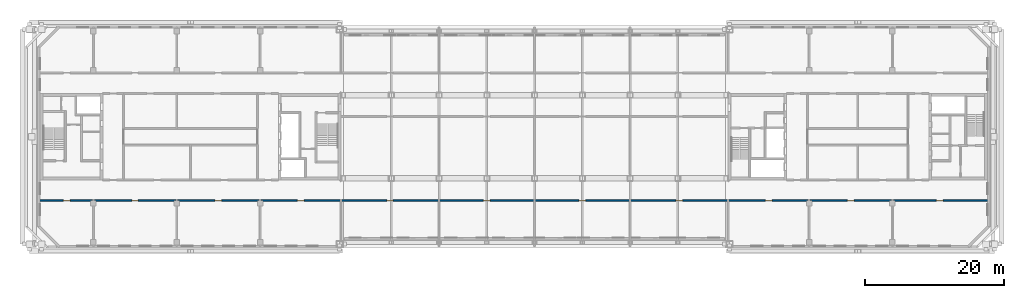
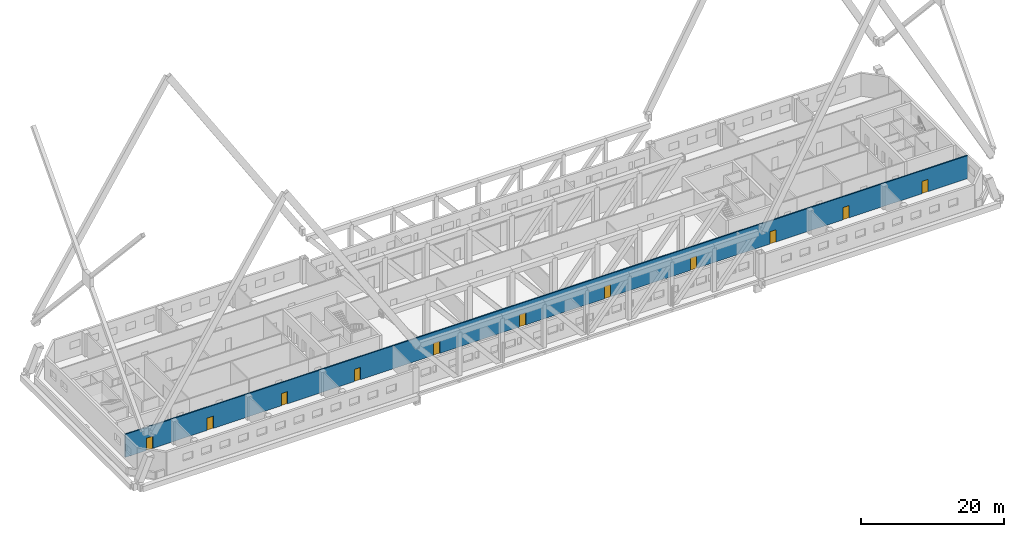
# One storey, part 7 of 17: 11 doors, 1 wall, 11 openings.
"""IFC4 building model written with IfcOpenShell, lengths in metres."""

from ifc_helpers import new_model, si_unit, direction, frame, frame_2d, origin, place, context, subcontext, project, spatial, rectangle, extrude, material, layer, layer_set, type_object, element, fill, save


model = new_model("IFC4")

# Units and contexts
model_context = context("Model", 3, precision=1e-05, world=origin(), true_north=direction((0.0, 1.0)))
body_context = subcontext(model_context, "Body", "Model", "MODEL_VIEW")
ifc_project = project(units=[si_unit("LENGTHUNIT", "METRE"), si_unit("AREAUNIT", "SQUARE_METRE"), si_unit("VOLUMEUNIT", "CUBIC_METRE"), si_unit("PLANEANGLEUNIT", "RADIAN"), si_unit("MASSUNIT", "GRAM", prefix="KILO")], contexts=[model_context])

# Site, building, storey
site_placement = place(None, origin())
site = spatial("IfcSite", under=ifc_project, at=site_placement, CompositionType="ELEMENT")
building_placement = place(site_placement, origin())
building = spatial("IfcBuilding", under=site, at=building_placement, Name="Tuart Gate Housing", CompositionType="ELEMENT")
storey_placement = place(building_placement, frame((0.0, 0.0, 194.39990234375)))
storey = spatial("IfcBuildingStorey", under=building, at=storey_placement, Name="L55", CompositionType="ELEMENT", Elevation=194.39990234375)

# Wall, openings, doors
ifc_material_1 = material(Name="Concrete masonry 15 MPa", Category="masonry")
ifc_layer = layer(ifc_material_1, 0.199951171875)
ifc_layer_set = layer_set([ifc_layer], Name="Enclosure wall masonry 200")
wall_type = type_object("IfcWallType", Name="Enclosure wall masonry 200", PredefinedType="PARTITIONING", material=ifc_layer_set)
wall_placement = place(storey_placement, frame((32.239990234375, 60.800048828125, 0.0), z_axis=(0.0, 0.0, 1.0), x_axis=(1.0, 0.0, 0.0)))
wall = element("IfcWall", 1, at=wall_placement, inside=storey, type_object=wall_type, Name="Enclosure wall masonry 200", PredefinedType="PARTITIONING", context=body_context, shape_type="SweptSolid", body=[
    extrude(rectangle(XDim=136.52001953125, YDim=0.199951171875, at=frame_2d((68.260009765625, 0.0))), origin(), (0.0, 0.0, 1.0), 3.9501953125),
])
opening_1_placement = place(wall_placement, frame((3.43994140625, 0.0, 0.0)))
opening_1 = element("IfcOpeningElement", 2, at=opening_1_placement, cuts=wall, Name="Opening D3528", PredefinedType="OPENING", context=body_context, shape_type="SweptSolid", body=[
    extrude(rectangle(XDim=1.0, YDim=2.10009765625, at=frame_2d((0.5, 1.050048828125))), frame((0.0, 0.10986328125, 0.0), z_axis=(0.0, -1.0, 0.0), x_axis=(1.0, 0.0, 0.0)), (0.0, 0.0, 1.0), 0.219970703125),
])
opening_2_placement = place(wall_placement, frame((13.260009765625, 0.0, 0.0)))
opening_2 = element("IfcOpeningElement", 3, at=opening_2_placement, cuts=wall, Name="Opening D3529", PredefinedType="OPENING", context=body_context, shape_type="SweptSolid", body=[
    extrude(rectangle(XDim=1.0, YDim=2.10009765625, at=frame_2d((0.5, 1.050048828125))), frame((0.0, 0.10986328125, 0.0), z_axis=(0.0, -1.0, 0.0), x_axis=(1.0, 0.0, 0.0)), (0.0, 0.0, 1.0), 0.219970703125),
])
opening_3_placement = place(wall_placement, frame((25.260009765625, 0.0, 0.0)))
opening_3 = element("IfcOpeningElement", 4, at=opening_3_placement, cuts=wall, Name="Opening D3530", PredefinedType="OPENING", context=body_context, shape_type="SweptSolid", body=[
    extrude(rectangle(XDim=1.0, YDim=2.10009765625, at=frame_2d((0.5, 1.050048828125))), frame((0.0, 0.10986328125, 0.0), z_axis=(0.0, -1.0, 0.0), x_axis=(1.0, 0.0, 0.0)), (0.0, 0.0, 1.0), 0.219970703125),
])
opening_4_placement = place(wall_placement, frame((37.080078125, 0.0, 0.0)))
opening_4 = element("IfcOpeningElement", 5, at=opening_4_placement, cuts=wall, Name="Opening D3531", PredefinedType="OPENING", context=body_context, shape_type="SweptSolid", body=[
    extrude(rectangle(XDim=1.0, YDim=2.10009765625, at=frame_2d((0.5, 1.050048828125))), frame((0.0, 0.10986328125, 0.0), z_axis=(0.0, -1.0, 0.0), x_axis=(1.0, 0.0, 0.0)), (0.0, 0.0, 1.0), 0.219970703125),
])
opening_5_placement = place(wall_placement, frame((49.955078125, 0.0, 0.0)))
opening_5 = element("IfcOpeningElement", 6, at=opening_5_placement, cuts=wall, Name="Opening D3532", PredefinedType="OPENING", context=body_context, shape_type="SweptSolid", body=[
    extrude(rectangle(XDim=1.0, YDim=2.10009765625, at=frame_2d((0.5, 1.050048828125))), frame((0.0, 0.10986328125, 0.0), z_axis=(0.0, -1.0, 0.0), x_axis=(1.0, 0.0, 0.0)), (0.0, 0.0, 1.0), 0.219970703125),
])
opening_6_placement = place(wall_placement, frame((63.885009765625, 0.0, 0.0)))
opening_6 = element("IfcOpeningElement", 7, at=opening_6_placement, cuts=wall, Name="Opening D3533", PredefinedType="OPENING", context=body_context, shape_type="SweptSolid", body=[
    extrude(rectangle(XDim=1.0, YDim=2.10009765625, at=frame_2d((0.5, 1.050048828125))), frame((0.0, 0.10986328125, 0.0), z_axis=(0.0, -1.0, 0.0), x_axis=(1.0, 0.0, 0.0)), (0.0, 0.0, 1.0), 0.219970703125),
])
opening_7_placement = place(wall_placement, frame((77.635009765625, 0.0, 0.0)))
opening_7 = element("IfcOpeningElement", 8, at=opening_7_placement, cuts=wall, Name="Opening D3534", PredefinedType="OPENING", context=body_context, shape_type="SweptSolid", body=[
    extrude(rectangle(XDim=1.0, YDim=2.10009765625, at=frame_2d((0.5, 1.050048828125))), frame((0.0, 0.10986328125, 0.0), z_axis=(0.0, -1.0, 0.0), x_axis=(1.0, 0.0, 0.0)), (0.0, 0.0, 1.0), 0.219970703125),
])
opening_8_placement = place(wall_placement, frame((91.56494140625, 0.0, 0.0)))
opening_8 = element("IfcOpeningElement", 9, at=opening_8_placement, cuts=wall, Name="Opening D3535", PredefinedType="OPENING", context=body_context, shape_type="SweptSolid", body=[
    extrude(rectangle(XDim=1.0, YDim=2.10009765625, at=frame_2d((0.5, 1.050048828125))), frame((0.0, 0.10986328125, 0.0), z_axis=(0.0, -1.0, 0.0), x_axis=(1.0, 0.0, 0.0)), (0.0, 0.0, 1.0), 0.219970703125),
])
opening_9_placement = place(wall_placement, frame((104.43994140625, 0.0, 0.0)))
opening_9 = element("IfcOpeningElement", 10, at=opening_9_placement, cuts=wall, Name="Opening D3536", PredefinedType="OPENING", context=body_context, shape_type="SweptSolid", body=[
    extrude(rectangle(XDim=1.0, YDim=2.10009765625, at=frame_2d((0.5, 1.050048828125))), frame((0.0, 0.10986328125, 0.0), z_axis=(0.0, -1.0, 0.0), x_axis=(1.0, 0.0, 0.0)), (0.0, 0.0, 1.0), 0.219970703125),
])
opening_10_placement = place(wall_placement, frame((116.260009765625, 0.0, 0.0)))
opening_10 = element("IfcOpeningElement", 11, at=opening_10_placement, cuts=wall, Name="Opening D3537", PredefinedType="OPENING", context=body_context, shape_type="SweptSolid", body=[
    extrude(rectangle(XDim=1.0, YDim=2.10009765625, at=frame_2d((0.5, 1.050048828125))), frame((0.0, 0.10986328125, 0.0), z_axis=(0.0, -1.0, 0.0), x_axis=(1.0, 0.0, 0.0)), (0.0, 0.0, 1.0), 0.219970703125),
])
opening_11_placement = place(wall_placement, frame((129.080078125, 0.0, 0.0)))
opening_11 = element("IfcOpeningElement", 12, at=opening_11_placement, cuts=wall, Name="Opening D3538", PredefinedType="OPENING", context=body_context, shape_type="SweptSolid", body=[
    extrude(rectangle(XDim=1.0, YDim=2.10009765625, at=frame_2d((0.5, 1.050048828125))), frame((0.0, 0.10986328125, 0.0), z_axis=(0.0, -1.0, 0.0), x_axis=(1.0, 0.0, 0.0)), (0.0, 0.0, 1.0), 0.219970703125),
])
ifc_material_2 = material(Name="Timber door leaf in steel frame", Category="steel")
door_type = type_object("IfcDoorType", Name="Fire door 1000 RH", OperationType="SINGLE_SWING_RIGHT", PredefinedType="DOOR", material=ifc_material_2)
door_1_placement = place(opening_1_placement, frame((1.0, 0.0, 0.0), z_axis=(0.0, 0.0, 1.0), x_axis=(-1.0, 0.0, 0.0)))
door_1 = element("IfcDoor", 13, at=door_1_placement, inside=storey, type_object=door_type, Name="Fire door 1000", OperationType="SINGLE_SWING_RIGHT", OverallHeight=2.10009765625, OverallWidth=1.0, PredefinedType="DOOR", context=body_context, shape_type="SweptSolid", body=[
    extrude(rectangle(XDim=1.0, YDim=2.10009765625, at=frame_2d((0.5, 1.050048828125))), frame((0.0, 0.025146484375, 0.0), z_axis=(0.0, -1.0, 0.0), x_axis=(1.0, 0.0, 0.0)), (0.0, 0.0, 1.0), 0.050048828125),
])
fill(opening_1, door_1)
door_2_placement = place(opening_2_placement, frame((1.0, 0.0, 0.0), z_axis=(0.0, 0.0, 1.0), x_axis=(-1.0, 0.0, 0.0)))
door_2 = element("IfcDoor", 14, at=door_2_placement, inside=storey, type_object=door_type, Name="Fire door 1000", OperationType="SINGLE_SWING_RIGHT", OverallHeight=2.10009765625, OverallWidth=1.0, PredefinedType="DOOR", context=body_context, shape_type="SweptSolid", body=[
    extrude(rectangle(XDim=1.0, YDim=2.10009765625, at=frame_2d((0.5, 1.050048828125))), frame((0.0, 0.025146484375, 0.0), z_axis=(0.0, -1.0, 0.0), x_axis=(1.0, 0.0, 0.0)), (0.0, 0.0, 1.0), 0.050048828125),
])
fill(opening_2, door_2)
door_3_placement = place(opening_3_placement, frame((1.0, 0.0, 0.0), z_axis=(0.0, 0.0, 1.0), x_axis=(-1.0, 0.0, 0.0)))
door_3 = element("IfcDoor", 15, at=door_3_placement, inside=storey, type_object=door_type, Name="Fire door 1000", OperationType="SINGLE_SWING_RIGHT", OverallHeight=2.10009765625, OverallWidth=1.0, PredefinedType="DOOR", context=body_context, shape_type="SweptSolid", body=[
    extrude(rectangle(XDim=1.0, YDim=2.10009765625, at=frame_2d((0.5, 1.050048828125))), frame((0.0, 0.025146484375, 0.0), z_axis=(0.0, -1.0, 0.0), x_axis=(1.0, 0.0, 0.0)), (0.0, 0.0, 1.0), 0.050048828125),
])
fill(opening_3, door_3)
door_4_placement = place(opening_4_placement, frame((1.0, 0.0, 0.0), z_axis=(0.0, 0.0, 1.0), x_axis=(-1.0, 0.0, 0.0)))
door_4 = element("IfcDoor", 16, at=door_4_placement, inside=storey, type_object=door_type, Name="Fire door 1000", OperationType="SINGLE_SWING_RIGHT", OverallHeight=2.10009765625, OverallWidth=1.0, PredefinedType="DOOR", context=body_context, shape_type="SweptSolid", body=[
    extrude(rectangle(XDim=1.0, YDim=2.10009765625, at=frame_2d((0.5, 1.050048828125))), frame((0.0, 0.025146484375, 0.0), z_axis=(0.0, -1.0, 0.0), x_axis=(1.0, 0.0, 0.0)), (0.0, 0.0, 1.0), 0.050048828125),
])
fill(opening_4, door_4)
door_5_placement = place(opening_5_placement, frame((1.0, 0.0, 0.0), z_axis=(0.0, 0.0, 1.0), x_axis=(-1.0, 0.0, 0.0)))
door_5 = element("IfcDoor", 17, at=door_5_placement, inside=storey, type_object=door_type, Name="Fire door 1000", OperationType="SINGLE_SWING_RIGHT", OverallHeight=2.10009765625, OverallWidth=1.0, PredefinedType="DOOR", context=body_context, shape_type="SweptSolid", body=[
    extrude(rectangle(XDim=1.0, YDim=2.10009765625, at=frame_2d((0.5, 1.050048828125))), frame((0.0, 0.025146484375, 0.0), z_axis=(0.0, -1.0, 0.0), x_axis=(1.0, 0.0, 0.0)), (0.0, 0.0, 1.0), 0.050048828125),
])
fill(opening_5, door_5)
door_6_placement = place(opening_6_placement, frame((1.0, 0.0, 0.0), z_axis=(0.0, 0.0, 1.0), x_axis=(-1.0, 0.0, 0.0)))
door_6 = element("IfcDoor", 18, at=door_6_placement, inside=storey, type_object=door_type, Name="Fire door 1000", OperationType="SINGLE_SWING_RIGHT", OverallHeight=2.10009765625, OverallWidth=1.0, PredefinedType="DOOR", context=body_context, shape_type="SweptSolid", body=[
    extrude(rectangle(XDim=1.0, YDim=2.10009765625, at=frame_2d((0.5, 1.050048828125))), frame((0.0, 0.025146484375, 0.0), z_axis=(0.0, -1.0, 0.0), x_axis=(1.0, 0.0, 0.0)), (0.0, 0.0, 1.0), 0.050048828125),
])
fill(opening_6, door_6)
door_7_placement = place(opening_7_placement, frame((1.0, 0.0, 0.0), z_axis=(0.0, 0.0, 1.0), x_axis=(-1.0, 0.0, 0.0)))
door_7 = element("IfcDoor", 19, at=door_7_placement, inside=storey, type_object=door_type, Name="Fire door 1000", OperationType="SINGLE_SWING_RIGHT", OverallHeight=2.10009765625, OverallWidth=1.0, PredefinedType="DOOR", context=body_context, shape_type="SweptSolid", body=[
    extrude(rectangle(XDim=1.0, YDim=2.10009765625, at=frame_2d((0.5, 1.050048828125))), frame((0.0, 0.025146484375, 0.0), z_axis=(0.0, -1.0, 0.0), x_axis=(1.0, 0.0, 0.0)), (0.0, 0.0, 1.0), 0.050048828125),
])
fill(opening_7, door_7)
door_8_placement = place(opening_8_placement, frame((1.0, 0.0, 0.0), z_axis=(0.0, 0.0, 1.0), x_axis=(-1.0, 0.0, 0.0)))
door_8 = element("IfcDoor", 20, at=door_8_placement, inside=storey, type_object=door_type, Name="Fire door 1000", OperationType="SINGLE_SWING_RIGHT", OverallHeight=2.10009765625, OverallWidth=1.0, PredefinedType="DOOR", context=body_context, shape_type="SweptSolid", body=[
    extrude(rectangle(XDim=1.0, YDim=2.10009765625, at=frame_2d((0.5, 1.050048828125))), frame((0.0, 0.025146484375, 0.0), z_axis=(0.0, -1.0, 0.0), x_axis=(1.0, 0.0, 0.0)), (0.0, 0.0, 1.0), 0.050048828125),
])
fill(opening_8, door_8)
door_9_placement = place(opening_9_placement, frame((1.0, 0.0, 0.0), z_axis=(0.0, 0.0, 1.0), x_axis=(-1.0, 0.0, 0.0)))
door_9 = element("IfcDoor", 21, at=door_9_placement, inside=storey, type_object=door_type, Name="Fire door 1000", OperationType="SINGLE_SWING_RIGHT", OverallHeight=2.10009765625, OverallWidth=1.0, PredefinedType="DOOR", context=body_context, shape_type="SweptSolid", body=[
    extrude(rectangle(XDim=1.0, YDim=2.10009765625, at=frame_2d((0.5, 1.050048828125))), frame((0.0, 0.025146484375, 0.0), z_axis=(0.0, -1.0, 0.0), x_axis=(1.0, 0.0, 0.0)), (0.0, 0.0, 1.0), 0.050048828125),
])
fill(opening_9, door_9)
door_10_placement = place(opening_10_placement, frame((1.0, 0.0, 0.0), z_axis=(0.0, 0.0, 1.0), x_axis=(-1.0, 0.0, 0.0)))
door_10 = element("IfcDoor", 22, at=door_10_placement, inside=storey, type_object=door_type, Name="Fire door 1000", OperationType="SINGLE_SWING_RIGHT", OverallHeight=2.10009765625, OverallWidth=1.0, PredefinedType="DOOR", context=body_context, shape_type="SweptSolid", body=[
    extrude(rectangle(XDim=1.0, YDim=2.10009765625, at=frame_2d((0.5, 1.050048828125))), frame((0.0, 0.025146484375, 0.0), z_axis=(0.0, -1.0, 0.0), x_axis=(1.0, 0.0, 0.0)), (0.0, 0.0, 1.0), 0.050048828125),
])
fill(opening_10, door_10)
door_11_placement = place(opening_11_placement, frame((1.0, 0.0, 0.0), z_axis=(0.0, 0.0, 1.0), x_axis=(-1.0, 0.0, 0.0)))
door_11 = element("IfcDoor", 23, at=door_11_placement, inside=storey, type_object=door_type, Name="Fire door 1000", OperationType="SINGLE_SWING_RIGHT", OverallHeight=2.10009765625, OverallWidth=1.0, PredefinedType="DOOR", context=body_context, shape_type="SweptSolid", body=[
    extrude(rectangle(XDim=1.0, YDim=2.10009765625, at=frame_2d((0.5, 1.050048828125))), frame((0.0, 0.025146484375, 0.0), z_axis=(0.0, -1.0, 0.0), x_axis=(1.0, 0.0, 0.0)), (0.0, 0.0, 1.0), 0.050048828125),
])
fill(opening_11, door_11)

save(model, "model.ifc")
